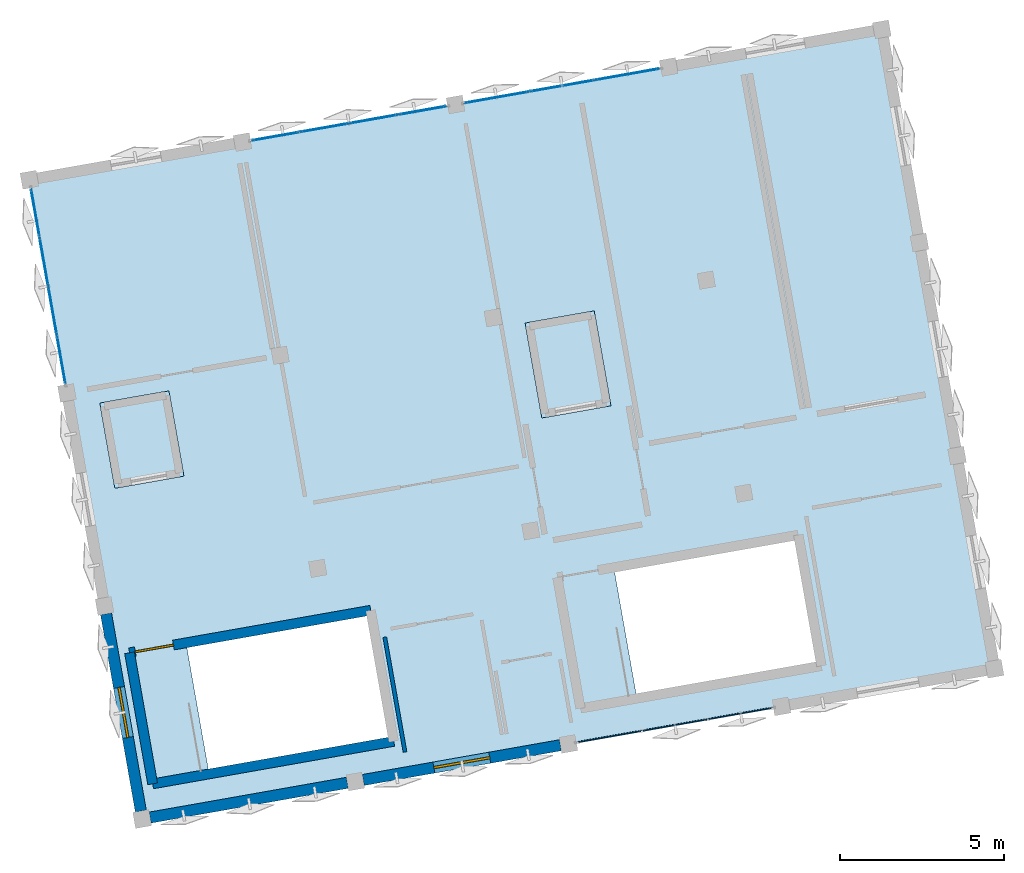
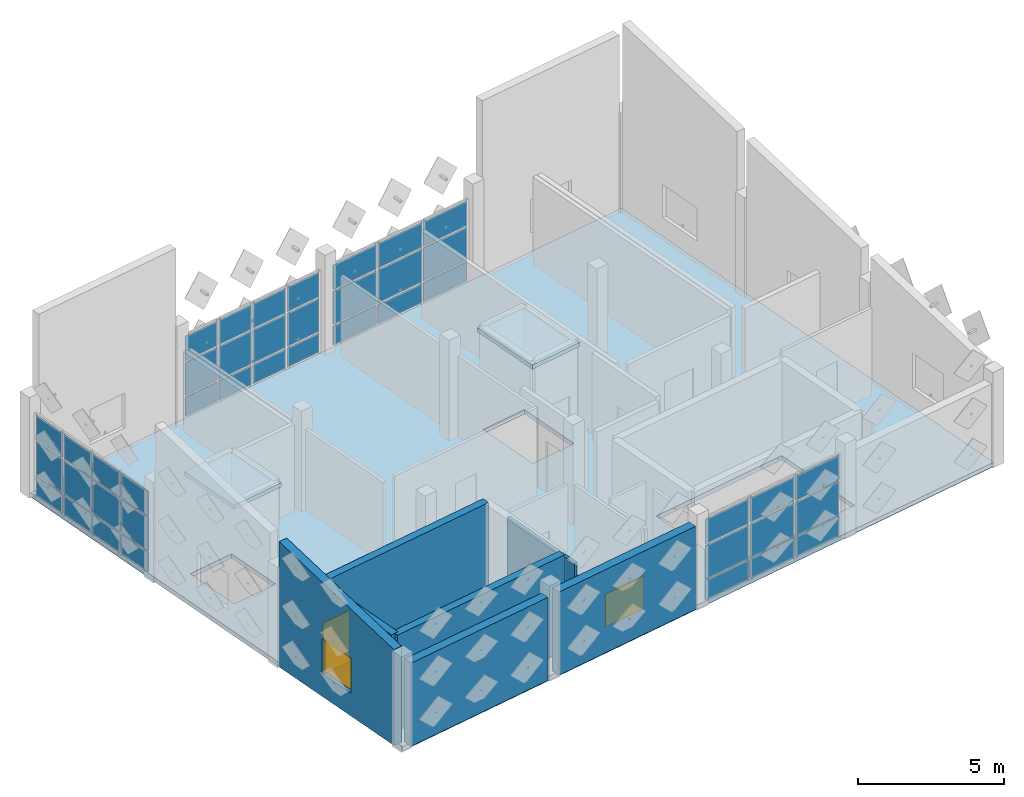
# One storey, part 6 of 11: 42 plates, 7 walls, 3 slabs, 2 windows, 1 door, 3 openings, 4 elements without a shape of their own.
"""IFC4 building model written with IfcOpenShell, lengths in metres."""

from ifc_helpers import new_model, si_unit, direction, frame, frame_2d, origin, origin_2d, place, context, subcontext, project, spatial, polyline, rectangle, outline, extrude, material, layer, layer_set, type_object, element, fill, aggregate, save


model = new_model("IFC4")

# Units and contexts
model_context = context("Model", 3, precision=1e-05, world=origin(), true_north=direction((0.0, 1.0)))
body_context = subcontext(model_context, "Body", "Model", "MODEL_VIEW")
ifc_project = project(units=[si_unit("LENGTHUNIT", "METRE"), si_unit("AREAUNIT", "SQUARE_METRE"), si_unit("VOLUMEUNIT", "CUBIC_METRE"), si_unit("PLANEANGLEUNIT", "RADIAN"), si_unit("MASSUNIT", "GRAM", prefix="KILO")], contexts=[model_context])

# Site, building, storey
site_placement = place(None, origin())
site = spatial("IfcSite", under=ifc_project, at=site_placement, CompositionType="ELEMENT")
building_placement = place(site_placement, origin())
building = spatial("IfcBuilding", under=site, at=building_placement, Name="Kharisveld Research Institute", CompositionType="ELEMENT")
storey_placement = place(building_placement, frame((0.0, 0.0, 49.199951171875)))
storey = spatial("IfcBuildingStorey", under=building, at=storey_placement, Name="L11", CompositionType="ELEMENT", Elevation=49.199951171875)

# Curtain wall, plates
ifc_material_1 = material(Name="Thermally Broken Aluminium Curtain Wall", Category="aluminium")
ifc_layer_1 = layer(ifc_material_1, 0.159912109375)
ifc_layer_set_1 = layer_set([ifc_layer_1], Name="CW_SYS_03")
curtain_wall_type_1 = type_object("IfcCurtainWallType", Name="CW_SYS_03", PredefinedType="NOTDEFINED", material=ifc_layer_set_1)
curtain_wall_1_placement = place(storey_placement, origin())
curtain_wall_1 = element("IfcCurtainWall", 1, at=curtain_wall_1_placement, inside=storey, type_object=curtain_wall_type_1, Name="CW:V1:L11:W2", PredefinedType="NOTDEFINED")
ifc_material_2 = material(Name="Low-E Double Glazing", Category="glass")
ifc_layer_2 = layer(ifc_material_2, 0.028076171875)
ifc_layer_set_2 = layer_set([ifc_layer_2], Name="CW_PNL_GLZ")
plate_type_1 = type_object("IfcPlateType", Name="CW_PNL_GLZ", PredefinedType="CURTAIN_PANEL", material=ifc_layer_set_2)
plate_1_placement = place(storey_placement, frame((2.729736328125, 49.02001953125, 0.06494140625), z_axis=(0.0, 0.0, 1.0), x_axis=(-0.173648102039, 0.984807766347, 0.0)))
plate_1 = element("IfcPlate", 2, at=plate_1_placement, type_object=plate_type_1, Name="CW-03 panel 1.1", PredefinedType="CURTAIN_PANEL", context=body_context, shape_type="SweptSolid", body=[
    extrude(rectangle(XDim=1.422607421875, YDim=0.028076171875, at=origin_2d()), origin(), (0.0, 0.0, 1.0), 0.802490234375),
])
plate_2_placement = place(storey_placement, frame((2.729736328125, 49.02001953125, 0.9326171875), z_axis=(0.0, 0.0, 1.0), x_axis=(-0.173648102039, 0.984807766347, 0.0)))
plate_2 = element("IfcPlate", 3, at=plate_2_placement, type_object=plate_type_1, Name="CW-03 panel 1.2", PredefinedType="CURTAIN_PANEL", context=body_context, shape_type="SweptSolid", body=[
    extrude(rectangle(XDim=1.422607421875, YDim=0.028076171875, at=origin_2d()), origin(), (0.0, 0.0, 1.0), 1.385009765625),
])
plate_3_placement = place(storey_placement, frame((2.729736328125, 49.02001953125, 2.38232421875), z_axis=(0.0, 0.0, 1.0), x_axis=(-0.173648102039, 0.984807766347, 0.0)))
plate_3 = element("IfcPlate", 4, at=plate_3_placement, type_object=plate_type_1, Name="CW-03 panel 1.3", PredefinedType="CURTAIN_PANEL", context=body_context, shape_type="SweptSolid", body=[
    extrude(rectangle(XDim=1.422607421875, YDim=0.028076171875, at=origin_2d()), origin(), (0.0, 0.0, 1.0), 1.032470703125),
])
plate_4_placement = place(storey_placement, frame((2.467529296875, 50.507080078125, 0.06494140625), z_axis=(0.0, 0.0, 1.0), x_axis=(-0.173648102039, 0.984807766347, 0.0)))
plate_4 = element("IfcPlate", 5, at=plate_4_placement, type_object=plate_type_1, Name="CW-03 panel 2.1", PredefinedType="CURTAIN_PANEL", context=body_context, shape_type="SweptSolid", body=[
    extrude(rectangle(XDim=1.45751953125, YDim=0.028076171875, at=origin_2d()), origin(), (0.0, 0.0, 1.0), 0.802490234375),
])
plate_5_placement = place(storey_placement, frame((2.467529296875, 50.507080078125, 0.9326171875), z_axis=(0.0, 0.0, 1.0), x_axis=(-0.173648102039, 0.984807766347, 0.0)))
plate_5 = element("IfcPlate", 6, at=plate_5_placement, type_object=plate_type_1, Name="CW-03 panel 2.2", PredefinedType="CURTAIN_PANEL", context=body_context, shape_type="SweptSolid", body=[
    extrude(rectangle(XDim=1.45751953125, YDim=0.028076171875, at=origin_2d()), origin(), (0.0, 0.0, 1.0), 1.385009765625),
])
plate_6_placement = place(storey_placement, frame((2.467529296875, 50.507080078125, 2.38232421875), z_axis=(0.0, 0.0, 1.0), x_axis=(-0.173648102039, 0.984807766347, 0.0)))
plate_6 = element("IfcPlate", 7, at=plate_6_placement, type_object=plate_type_1, Name="CW-03 panel 2.3", PredefinedType="CURTAIN_PANEL", context=body_context, shape_type="SweptSolid", body=[
    extrude(rectangle(XDim=1.45751953125, YDim=0.028076171875, at=origin_2d()), origin(), (0.0, 0.0, 1.0), 1.032470703125),
])
plate_7_placement = place(storey_placement, frame((2.2021484375, 52.011474609375, 0.06494140625), z_axis=(0.0, 0.0, 1.0), x_axis=(-0.173648102039, 0.984807766347, 0.0)))
plate_7 = element("IfcPlate", 8, at=plate_7_placement, type_object=plate_type_1, Name="CW-03 panel 3.1", PredefinedType="CURTAIN_PANEL", context=body_context, shape_type="SweptSolid", body=[
    extrude(rectangle(XDim=1.45751953125, YDim=0.028076171875, at=origin_2d()), origin(), (0.0, 0.0, 1.0), 0.802490234375),
])
plate_8_placement = place(storey_placement, frame((2.2021484375, 52.011474609375, 0.9326171875), z_axis=(0.0, 0.0, 1.0), x_axis=(-0.173648102039, 0.984807766347, 0.0)))
plate_8 = element("IfcPlate", 9, at=plate_8_placement, type_object=plate_type_1, Name="CW-03 panel 3.2", PredefinedType="CURTAIN_PANEL", context=body_context, shape_type="SweptSolid", body=[
    extrude(rectangle(XDim=1.45751953125, YDim=0.028076171875, at=origin_2d()), origin(), (0.0, 0.0, 1.0), 1.385009765625),
])
plate_9_placement = place(storey_placement, frame((2.2021484375, 52.011474609375, 2.38232421875), z_axis=(0.0, 0.0, 1.0), x_axis=(-0.173648102039, 0.984807766347, 0.0)))
plate_9 = element("IfcPlate", 10, at=plate_9_placement, type_object=plate_type_1, Name="CW-03 panel 3.3", PredefinedType="CURTAIN_PANEL", context=body_context, shape_type="SweptSolid", body=[
    extrude(rectangle(XDim=1.45751953125, YDim=0.028076171875, at=origin_2d()), origin(), (0.0, 0.0, 1.0), 1.032470703125),
])
plate_10_placement = place(storey_placement, frame((1.93994140625, 53.49853515625, 0.06494140625), z_axis=(0.0, 0.0, 1.0), x_axis=(-0.173648102039, 0.984807766347, 0.0)))
plate_10 = element("IfcPlate", 11, at=plate_10_placement, type_object=plate_type_1, Name="CW-03 panel 4.1", PredefinedType="CURTAIN_PANEL", context=body_context, shape_type="SweptSolid", body=[
    extrude(rectangle(XDim=1.422607421875, YDim=0.028076171875, at=origin_2d()), origin(), (0.0, 0.0, 1.0), 0.802490234375),
])
plate_11_placement = place(storey_placement, frame((1.93994140625, 53.49853515625, 0.9326171875), z_axis=(0.0, 0.0, 1.0), x_axis=(-0.173648102039, 0.984807766347, 0.0)))
plate_11 = element("IfcPlate", 12, at=plate_11_placement, type_object=plate_type_1, Name="CW-03 panel 4.2", PredefinedType="CURTAIN_PANEL", context=body_context, shape_type="SweptSolid", body=[
    extrude(rectangle(XDim=1.422607421875, YDim=0.028076171875, at=origin_2d()), origin(), (0.0, 0.0, 1.0), 1.385009765625),
])
plate_12_placement = place(storey_placement, frame((1.93994140625, 53.49853515625, 2.38232421875), z_axis=(0.0, 0.0, 1.0), x_axis=(-0.173648102039, 0.984807766347, 0.0)))
plate_12 = element("IfcPlate", 13, at=plate_12_placement, type_object=plate_type_1, Name="CW-03 panel 4.3", PredefinedType="CURTAIN_PANEL", context=body_context, shape_type="SweptSolid", body=[
    extrude(rectangle(XDim=1.422607421875, YDim=0.028076171875, at=origin_2d()), origin(), (0.0, 0.0, 1.0), 1.032470703125),
])
aggregate(curtain_wall_1, [plate_1, plate_2, plate_3, plate_4, plate_5, plate_6, plate_7, plate_8, plate_9, plate_10, plate_11, plate_12])

ifc_material_3 = material(Name="Thermally Broken Aluminium Curtain Wall", Category="aluminium")
ifc_layer_3 = layer(ifc_material_3, 0.159912109375)
ifc_layer_set_3 = layer_set([ifc_layer_3], Name="CW_SYS_04")
curtain_wall_type_2 = type_object("IfcCurtainWallType", Name="CW_SYS_04", PredefinedType="NOTDEFINED", material=ifc_layer_set_3)
curtain_wall_2_placement = place(storey_placement, origin())
curtain_wall_2 = element("IfcCurtainWall", 14, at=curtain_wall_2_placement, inside=storey, type_object=curtain_wall_type_2, Name="CW:V1:L11:N1", PredefinedType="NOTDEFINED")
plate_13_placement = place(storey_placement, frame((9.272216796875, 55.83349609375, 0.06494140625), z_axis=(0.0, 0.0, 1.0), x_axis=(0.984807761413, 0.173648130021, 0.0)))
plate_13 = element("IfcPlate", 15, at=plate_13_placement, type_object=plate_type_1, Name="CW-04 panel 1.1", PredefinedType="CURTAIN_PANEL", context=body_context, shape_type="SweptSolid", body=[
    extrude(rectangle(XDim=1.422607421875, YDim=0.028076171875, at=origin_2d()), origin(), (0.0, 0.0, 1.0), 0.802490234375),
])
plate_14_placement = place(storey_placement, frame((9.272216796875, 55.83349609375, 0.9326171875), z_axis=(0.0, 0.0, 1.0), x_axis=(0.984807761413, 0.173648130021, 0.0)))
plate_14 = element("IfcPlate", 16, at=plate_14_placement, type_object=plate_type_1, Name="CW-04 panel 1.2", PredefinedType="CURTAIN_PANEL", context=body_context, shape_type="SweptSolid", body=[
    extrude(rectangle(XDim=1.422607421875, YDim=0.028076171875, at=origin_2d()), origin(), (0.0, 0.0, 1.0), 1.385009765625),
])
plate_15_placement = place(storey_placement, frame((9.272216796875, 55.83349609375, 2.38232421875), z_axis=(0.0, 0.0, 1.0), x_axis=(0.984807761413, 0.173648130021, 0.0)))
plate_15 = element("IfcPlate", 17, at=plate_15_placement, type_object=plate_type_1, Name="CW-04 panel 1.3", PredefinedType="CURTAIN_PANEL", context=body_context, shape_type="SweptSolid", body=[
    extrude(rectangle(XDim=1.422607421875, YDim=0.028076171875, at=origin_2d()), origin(), (0.0, 0.0, 1.0), 1.032470703125),
])
plate_16_placement = place(storey_placement, frame((10.75927734375, 56.095703125, 0.06494140625), z_axis=(0.0, 0.0, 1.0), x_axis=(0.984807761413, 0.173648130021, 0.0)))
plate_16 = element("IfcPlate", 18, at=plate_16_placement, type_object=plate_type_1, Name="CW-04 panel 2.1", PredefinedType="CURTAIN_PANEL", context=body_context, shape_type="SweptSolid", body=[
    extrude(rectangle(XDim=1.45751953125, YDim=0.028076171875, at=origin_2d()), origin(), (0.0, 0.0, 1.0), 0.802490234375),
])
plate_17_placement = place(storey_placement, frame((10.75927734375, 56.095703125, 0.9326171875), z_axis=(0.0, 0.0, 1.0), x_axis=(0.984807761413, 0.173648130021, 0.0)))
plate_17 = element("IfcPlate", 19, at=plate_17_placement, type_object=plate_type_1, Name="CW-04 panel 2.2", PredefinedType="CURTAIN_PANEL", context=body_context, shape_type="SweptSolid", body=[
    extrude(rectangle(XDim=1.45751953125, YDim=0.028076171875, at=origin_2d()), origin(), (0.0, 0.0, 1.0), 1.385009765625),
])
plate_18_placement = place(storey_placement, frame((10.75927734375, 56.095703125, 2.38232421875), z_axis=(0.0, 0.0, 1.0), x_axis=(0.984807761413, 0.173648130021, 0.0)))
plate_18 = element("IfcPlate", 20, at=plate_18_placement, type_object=plate_type_1, Name="CW-04 panel 2.3", PredefinedType="CURTAIN_PANEL", context=body_context, shape_type="SweptSolid", body=[
    extrude(rectangle(XDim=1.45751953125, YDim=0.028076171875, at=origin_2d()), origin(), (0.0, 0.0, 1.0), 1.032470703125),
])
plate_19_placement = place(storey_placement, frame((12.263427734375, 56.36083984375, 0.06494140625), z_axis=(0.0, 0.0, 1.0), x_axis=(0.984807761413, 0.173648130021, 0.0)))
plate_19 = element("IfcPlate", 21, at=plate_19_placement, type_object=plate_type_1, Name="CW-04 panel 3.1", PredefinedType="CURTAIN_PANEL", context=body_context, shape_type="SweptSolid", body=[
    extrude(rectangle(XDim=1.45751953125, YDim=0.028076171875, at=origin_2d()), origin(), (0.0, 0.0, 1.0), 0.802490234375),
])
plate_20_placement = place(storey_placement, frame((12.263427734375, 56.36083984375, 0.9326171875), z_axis=(0.0, 0.0, 1.0), x_axis=(0.984807761413, 0.173648130021, 0.0)))
plate_20 = element("IfcPlate", 22, at=plate_20_placement, type_object=plate_type_1, Name="CW-04 panel 3.2", PredefinedType="CURTAIN_PANEL", context=body_context, shape_type="SweptSolid", body=[
    extrude(rectangle(XDim=1.45751953125, YDim=0.028076171875, at=origin_2d()), origin(), (0.0, 0.0, 1.0), 1.385009765625),
])
plate_21_placement = place(storey_placement, frame((12.263427734375, 56.36083984375, 2.38232421875), z_axis=(0.0, 0.0, 1.0), x_axis=(0.984807761413, 0.173648130021, 0.0)))
plate_21 = element("IfcPlate", 23, at=plate_21_placement, type_object=plate_type_1, Name="CW-04 panel 3.3", PredefinedType="CURTAIN_PANEL", context=body_context, shape_type="SweptSolid", body=[
    extrude(rectangle(XDim=1.45751953125, YDim=0.028076171875, at=origin_2d()), origin(), (0.0, 0.0, 1.0), 1.032470703125),
])
plate_22_placement = place(storey_placement, frame((13.75048828125, 56.623046875, 0.06494140625), z_axis=(0.0, 0.0, 1.0), x_axis=(0.984807761413, 0.173648130021, 0.0)))
plate_22 = element("IfcPlate", 24, at=plate_22_placement, type_object=plate_type_1, Name="CW-04 panel 4.1", PredefinedType="CURTAIN_PANEL", context=body_context, shape_type="SweptSolid", body=[
    extrude(rectangle(XDim=1.422607421875, YDim=0.028076171875, at=origin_2d()), origin(), (0.0, 0.0, 1.0), 0.802490234375),
])
plate_23_placement = place(storey_placement, frame((13.75048828125, 56.623046875, 0.9326171875), z_axis=(0.0, 0.0, 1.0), x_axis=(0.984807761413, 0.173648130021, 0.0)))
plate_23 = element("IfcPlate", 25, at=plate_23_placement, type_object=plate_type_1, Name="CW-04 panel 4.2", PredefinedType="CURTAIN_PANEL", context=body_context, shape_type="SweptSolid", body=[
    extrude(rectangle(XDim=1.422607421875, YDim=0.028076171875, at=origin_2d()), origin(), (0.0, 0.0, 1.0), 1.385009765625),
])
plate_24_placement = place(storey_placement, frame((13.75048828125, 56.623046875, 2.38232421875), z_axis=(0.0, 0.0, 1.0), x_axis=(0.984807761413, 0.173648130021, 0.0)))
plate_24 = element("IfcPlate", 26, at=plate_24_placement, type_object=plate_type_1, Name="CW-04 panel 4.3", PredefinedType="CURTAIN_PANEL", context=body_context, shape_type="SweptSolid", body=[
    extrude(rectangle(XDim=1.422607421875, YDim=0.028076171875, at=origin_2d()), origin(), (0.0, 0.0, 1.0), 1.032470703125),
])
aggregate(curtain_wall_2, [plate_13, plate_14, plate_15, plate_16, plate_17, plate_18, plate_19, plate_20, plate_21, plate_22, plate_23, plate_24])

ifc_material_4 = material(Name="Thermally Broken Aluminium Curtain Wall", Category="aluminium")
ifc_layer_4 = layer(ifc_material_4, 0.159912109375)
ifc_layer_set_4 = layer_set([ifc_layer_4], Name="CW_SYS_05")
curtain_wall_type_3 = type_object("IfcCurtainWallType", Name="CW_SYS_05", PredefinedType="NOTDEFINED", material=ifc_layer_set_4)
curtain_wall_3_placement = place(storey_placement, origin())
curtain_wall_3 = element("IfcCurtainWall", 27, at=curtain_wall_3_placement, inside=storey, type_object=curtain_wall_type_3, Name="CW:V1:L11:N2", PredefinedType="NOTDEFINED")
plate_25_placement = place(storey_placement, frame((16.022705078125, 57.023681640625, 0.06494140625), z_axis=(0.0, 0.0, 1.0), x_axis=(0.984807766347, 0.173648102039, 0.0)))
plate_25 = element("IfcPlate", 28, at=plate_25_placement, type_object=plate_type_1, Name="CW-05 panel 1.1", PredefinedType="CURTAIN_PANEL", context=body_context, shape_type="SweptSolid", body=[
    extrude(rectangle(XDim=1.931640625, YDim=0.028076171875, at=origin_2d()), origin(), (0.0, 0.0, 1.0), 0.802490234375),
])
plate_26_placement = place(storey_placement, frame((16.022705078125, 57.023681640625, 0.9326171875), z_axis=(0.0, 0.0, 1.0), x_axis=(0.984807766347, 0.173648102039, 0.0)))
plate_26 = element("IfcPlate", 29, at=plate_26_placement, type_object=plate_type_1, Name="CW-05 panel 1.2", PredefinedType="CURTAIN_PANEL", context=body_context, shape_type="SweptSolid", body=[
    extrude(rectangle(XDim=1.931640625, YDim=0.028076171875, at=origin_2d()), origin(), (0.0, 0.0, 1.0), 1.385009765625),
])
plate_27_placement = place(storey_placement, frame((16.022705078125, 57.023681640625, 2.38232421875), z_axis=(0.0, 0.0, 1.0), x_axis=(0.984807766347, 0.173648102039, 0.0)))
plate_27 = element("IfcPlate", 30, at=plate_27_placement, type_object=plate_type_1, Name="CW-05 panel 1.3", PredefinedType="CURTAIN_PANEL", context=body_context, shape_type="SweptSolid", body=[
    extrude(rectangle(XDim=1.931640625, YDim=0.028076171875, at=origin_2d()), origin(), (0.0, 0.0, 1.0), 1.032470703125),
])
plate_28_placement = place(storey_placement, frame((18.010986328125, 57.374267578125, 0.06494140625), z_axis=(0.0, 0.0, 1.0), x_axis=(0.984807766347, 0.173648102039, 0.0)))
plate_28 = element("IfcPlate", 31, at=plate_28_placement, type_object=plate_type_1, Name="CW-05 panel 2.1", PredefinedType="CURTAIN_PANEL", context=body_context, shape_type="SweptSolid", body=[
    extrude(rectangle(XDim=1.966552734375, YDim=0.028076171875, at=origin_2d()), origin(), (0.0, 0.0, 1.0), 0.802490234375),
])
plate_29_placement = place(storey_placement, frame((18.010986328125, 57.374267578125, 0.9326171875), z_axis=(0.0, 0.0, 1.0), x_axis=(0.984807766347, 0.173648102039, 0.0)))
plate_29 = element("IfcPlate", 32, at=plate_29_placement, type_object=plate_type_1, Name="CW-05 panel 2.2", PredefinedType="CURTAIN_PANEL", context=body_context, shape_type="SweptSolid", body=[
    extrude(rectangle(XDim=1.966552734375, YDim=0.028076171875, at=origin_2d()), origin(), (0.0, 0.0, 1.0), 1.385009765625),
])
plate_30_placement = place(storey_placement, frame((18.010986328125, 57.374267578125, 2.38232421875), z_axis=(0.0, 0.0, 1.0), x_axis=(0.984807766347, 0.173648102039, 0.0)))
plate_30 = element("IfcPlate", 33, at=plate_30_placement, type_object=plate_type_1, Name="CW-05 panel 2.3", PredefinedType="CURTAIN_PANEL", context=body_context, shape_type="SweptSolid", body=[
    extrude(rectangle(XDim=1.966552734375, YDim=0.028076171875, at=origin_2d()), origin(), (0.0, 0.0, 1.0), 1.032470703125),
])
plate_31_placement = place(storey_placement, frame((19.99951171875, 57.72509765625, 0.06494140625), z_axis=(0.0, 0.0, 1.0), x_axis=(0.984807766347, 0.173648102039, 0.0)))
plate_31 = element("IfcPlate", 34, at=plate_31_placement, type_object=plate_type_1, Name="CW-05 panel 3.1", PredefinedType="CURTAIN_PANEL", context=body_context, shape_type="SweptSolid", body=[
    extrude(rectangle(XDim=1.931640625, YDim=0.028076171875, at=origin_2d()), origin(), (0.0, 0.0, 1.0), 0.802490234375),
])
plate_32_placement = place(storey_placement, frame((19.99951171875, 57.72509765625, 0.9326171875), z_axis=(0.0, 0.0, 1.0), x_axis=(0.984807766347, 0.173648102039, 0.0)))
plate_32 = element("IfcPlate", 35, at=plate_32_placement, type_object=plate_type_1, Name="CW-05 panel 3.2", PredefinedType="CURTAIN_PANEL", context=body_context, shape_type="SweptSolid", body=[
    extrude(rectangle(XDim=1.931640625, YDim=0.028076171875, at=origin_2d()), origin(), (0.0, 0.0, 1.0), 1.385009765625),
])
plate_33_placement = place(storey_placement, frame((19.99951171875, 57.72509765625, 2.38232421875), z_axis=(0.0, 0.0, 1.0), x_axis=(0.984807766347, 0.173648102039, 0.0)))
plate_33 = element("IfcPlate", 36, at=plate_33_placement, type_object=plate_type_1, Name="CW-05 panel 3.3", PredefinedType="CURTAIN_PANEL", context=body_context, shape_type="SweptSolid", body=[
    extrude(rectangle(XDim=1.931640625, YDim=0.028076171875, at=origin_2d()), origin(), (0.0, 0.0, 1.0), 1.032470703125),
])
aggregate(curtain_wall_3, [plate_25, plate_26, plate_27, plate_28, plate_29, plate_30, plate_31, plate_32, plate_33])

ifc_material_5 = material(Name="Thermally Broken Aluminium Curtain Wall", Category="aluminium")
ifc_layer_5 = layer(ifc_material_5, 0.159912109375)
ifc_layer_set_5 = layer_set([ifc_layer_5], Name="CW_SYS_06")
curtain_wall_type_4 = type_object("IfcCurtainWallType", Name="CW_SYS_06", PredefinedType="NOTDEFINED", material=ifc_layer_set_5)
curtain_wall_4_placement = place(storey_placement, origin())
curtain_wall_4 = element("IfcCurtainWall", 37, at=curtain_wall_4_placement, inside=storey, type_object=curtain_wall_type_4, Name="CW:V1:L11:S3", PredefinedType="NOTDEFINED")
ifc_material_6 = material(Name="Insulated Spandrel Glazing", Category="glass")
ifc_layer_6 = layer(ifc_material_6, 0.035888671875)
ifc_layer_set_6 = layer_set([ifc_layer_6], Name="CW_PNL_SPD")
plate_type_2 = type_object("IfcPlateType", Name="CW_PNL_SPD", PredefinedType="CURTAIN_PANEL", material=ifc_layer_set_6)
plate_34_placement = place(storey_placement, frame((23.437744140625, 38.225830078125, 0.06494140625), z_axis=(0.0, 0.0, 1.0), x_axis=(-0.984807766347, -0.173648102039, 0.0)))
plate_34 = element("IfcPlate", 38, at=plate_34_placement, type_object=plate_type_2, Name="CW-06 panel 1.1", PredefinedType="CURTAIN_PANEL", context=body_context, shape_type="SweptSolid", body=[
    extrude(rectangle(XDim=1.931640625, YDim=0.035888671875, at=origin_2d()), origin(), (0.0, 0.0, 1.0), 0.802490234375),
])
plate_35_placement = place(storey_placement, frame((23.437744140625, 38.225830078125, 0.9326171875), z_axis=(0.0, 0.0, 1.0), x_axis=(-0.984807766347, -0.173648102039, 0.0)))
plate_35 = element("IfcPlate", 39, at=plate_35_placement, type_object=plate_type_2, Name="CW-06 panel 1.2", PredefinedType="CURTAIN_PANEL", context=body_context, shape_type="SweptSolid", body=[
    extrude(rectangle(XDim=1.931640625, YDim=0.035888671875, at=origin_2d()), origin(), (0.0, 0.0, 1.0), 1.385009765625),
])
plate_36_placement = place(storey_placement, frame((23.437744140625, 38.225830078125, 2.38232421875), z_axis=(0.0, 0.0, 1.0), x_axis=(-0.984807766347, -0.173648102039, 0.0)))
plate_36 = element("IfcPlate", 40, at=plate_36_placement, type_object=plate_type_2, Name="CW-06 panel 1.3", PredefinedType="CURTAIN_PANEL", context=body_context, shape_type="SweptSolid", body=[
    extrude(rectangle(XDim=1.931640625, YDim=0.035888671875, at=origin_2d()), origin(), (0.0, 0.0, 1.0), 1.032470703125),
])
plate_37_placement = place(storey_placement, frame((21.44921875, 37.875244140625, 0.06494140625), z_axis=(0.0, 0.0, 1.0), x_axis=(-0.984807766347, -0.173648102039, 0.0)))
plate_37 = element("IfcPlate", 41, at=plate_37_placement, type_object=plate_type_2, Name="CW-06 panel 2.1", PredefinedType="CURTAIN_PANEL", context=body_context, shape_type="SweptSolid", body=[
    extrude(rectangle(XDim=1.966552734375, YDim=0.035888671875, at=origin_2d()), origin(), (0.0, 0.0, 1.0), 0.802490234375),
])
plate_38_placement = place(storey_placement, frame((21.44921875, 37.875244140625, 0.9326171875), z_axis=(0.0, 0.0, 1.0), x_axis=(-0.984807766347, -0.173648102039, 0.0)))
plate_38 = element("IfcPlate", 42, at=plate_38_placement, type_object=plate_type_2, Name="CW-06 panel 2.2", PredefinedType="CURTAIN_PANEL", context=body_context, shape_type="SweptSolid", body=[
    extrude(rectangle(XDim=1.966552734375, YDim=0.035888671875, at=origin_2d()), origin(), (0.0, 0.0, 1.0), 1.385009765625),
])
plate_39_placement = place(storey_placement, frame((21.44921875, 37.875244140625, 2.38232421875), z_axis=(0.0, 0.0, 1.0), x_axis=(-0.984807766347, -0.173648102039, 0.0)))
plate_39 = element("IfcPlate", 43, at=plate_39_placement, type_object=plate_type_2, Name="CW-06 panel 2.3", PredefinedType="CURTAIN_PANEL", context=body_context, shape_type="SweptSolid", body=[
    extrude(rectangle(XDim=1.966552734375, YDim=0.035888671875, at=origin_2d()), origin(), (0.0, 0.0, 1.0), 1.032470703125),
])
plate_40_placement = place(storey_placement, frame((19.4609375, 37.524658203125, 0.06494140625), z_axis=(0.0, 0.0, 1.0), x_axis=(-0.984807766347, -0.173648102039, 0.0)))
plate_40 = element("IfcPlate", 44, at=plate_40_placement, type_object=plate_type_2, Name="CW-06 panel 3.1", PredefinedType="CURTAIN_PANEL", context=body_context, shape_type="SweptSolid", body=[
    extrude(rectangle(XDim=1.931640625, YDim=0.035888671875, at=origin_2d()), origin(), (0.0, 0.0, 1.0), 0.802490234375),
])
plate_41_placement = place(storey_placement, frame((19.4609375, 37.524658203125, 0.9326171875), z_axis=(0.0, 0.0, 1.0), x_axis=(-0.984807766347, -0.173648102039, 0.0)))
plate_41 = element("IfcPlate", 45, at=plate_41_placement, type_object=plate_type_2, Name="CW-06 panel 3.2", PredefinedType="CURTAIN_PANEL", context=body_context, shape_type="SweptSolid", body=[
    extrude(rectangle(XDim=1.931640625, YDim=0.035888671875, at=origin_2d()), origin(), (0.0, 0.0, 1.0), 1.385009765625),
])
plate_42_placement = place(storey_placement, frame((19.4609375, 37.524658203125, 2.38232421875), z_axis=(0.0, 0.0, 1.0), x_axis=(-0.984807766347, -0.173648102039, 0.0)))
plate_42 = element("IfcPlate", 46, at=plate_42_placement, type_object=plate_type_2, Name="CW-06 panel 3.3", PredefinedType="CURTAIN_PANEL", context=body_context, shape_type="SweptSolid", body=[
    extrude(rectangle(XDim=1.931640625, YDim=0.035888671875, at=origin_2d()), origin(), (0.0, 0.0, 1.0), 1.032470703125),
])
aggregate(curtain_wall_4, [plate_34, plate_35, plate_36, plate_37, plate_38, plate_39, plate_40, plate_41, plate_42])

# Slabs
ifc_material_7 = material(Name="Concrete C40/50", Category="concrete")
ifc_layer_7 = layer(ifc_material_7, 0.179931640625)
ifc_layer_set_7 = layer_set([ifc_layer_7], Name="SL_FLR_180")
slab_type = type_object("IfcSlabType", Name="SL_FLR_180", PredefinedType="FLOOR", material=ifc_layer_set_7)
slab_1_placement = place(storey_placement, frame((0.0, 0.0, -0.179931640625)))
element("IfcSlab", 47, at=slab_1_placement, inside=storey, type_object=slab_type, Name="SLAB:V1:L11:MAIN", PredefinedType="FLOOR", context=body_context, shape_type="SweptSolid", body=[
    extrude(outline(polyline([(5.199951171875, 35.010009765625), (31.198974609375, 39.59423828125), (27.7607421875, 59.093505859375), (1.76171875, 54.50927734375), (5.199951171875, 35.010009765625)]), holes=[polyline([(12.73974609375, 37.45654296875), (7.224853515625, 36.48388671875), (6.554443359375, 40.285400390625), (12.0693359375, 41.2578125), (12.73974609375, 37.45654296875)]), polyline([(25.788330078125, 39.75732421875), (20.2734375, 38.784912109375), (19.603271484375, 42.586181640625), (25.1181640625, 43.55859375), (25.788330078125, 39.75732421875)]), polyline([(6.29931640625, 45.591552734375), (4.487060546875, 45.272216796875), (4.080810546875, 47.57666015625), (5.892822265625, 47.89599609375), (6.29931640625, 45.591552734375)]), polyline([(19.32470703125, 47.736083984375), (17.5126953125, 47.41650390625), (17.05419921875, 50.016357421875), (18.8662109375, 50.3359375), (19.32470703125, 47.736083984375)])]), origin(), (0.0, 0.0, 1.0), 0.179931640625),
])
slab_2_placement = place(storey_placement, frame((0.0, 0.0, 4.070068359375)))
element("IfcSlab", 48, at=slab_2_placement, inside=storey, type_object=slab_type, Name="SLAB:LFT:FFL-01:L11:CAP", PredefinedType="FLOOR", context=body_context, shape_type="SweptSolid", body=[
    extrude(outline(polyline([(17.39111328125, 47.24267578125), (19.49853515625, 47.614501953125), (18.988037109375, 50.509765625), (16.88037109375, 50.13818359375), (17.39111328125, 47.24267578125)])), origin(), (0.0, 0.0, 1.0), 0.179931640625),
])
slab_3_placement = place(storey_placement, frame((0.0, 0.0, 4.070068359375)))
element("IfcSlab", 49, at=slab_3_placement, inside=storey, type_object=slab_type, Name="SLAB:LFT:PL-01:L11:CAP", PredefinedType="FLOOR", context=body_context, shape_type="SweptSolid", body=[
    extrude(outline(polyline([(4.365478515625, 45.098388671875), (6.472900390625, 45.469970703125), (6.0146484375, 48.06982421875), (3.906982421875, 47.6982421875), (4.365478515625, 45.098388671875)])), origin(), (0.0, 0.0, 1.0), 0.179931640625),
])

# Wall
ifc_material_8 = material(Name="Concrete C40/50", Category="concrete")
ifc_layer_8 = layer(ifc_material_8, 0.300048828125)
ifc_layer_set_8 = layer_set([ifc_layer_8], Name="WL_CORE_300")
wall_type_1 = type_object("IfcWallType", Name="WL_CORE_300", PredefinedType="SHEAR", material=ifc_layer_set_8)
wall_1_placement = place(storey_placement, frame((5.518798828125, 36.08154296875, 0.0), z_axis=(0.0, 0.0, 1.0), x_axis=(-0.173665267602, 0.984804739443, 0.0)))
element("IfcWall", 50, at=wall_1_placement, inside=storey, type_object=wall_type_1, Name="WL:STR:ST1:L11:W", PredefinedType="SHEAR", context=body_context, shape_type="SweptSolid", body=[
    extrude(rectangle(XDim=4.06005859375, YDim=0.300048828125, at=frame_2d((2.030029296875, 0.0))), origin(), (0.0, 0.0, 1.0), 3.97998046875),
])

# Wall, opening, door
wall_2_placement = place(storey_placement, frame((4.813720703125, 40.079833984375, 0.0), z_axis=(0.0, 0.0, 1.0), x_axis=(0.984802636214, 0.173677193974, 0.0)))
wall_2 = element("IfcWall", 51, at=wall_2_placement, inside=storey, type_object=wall_type_1, Name="WL:STR:ST1:L11:N", PredefinedType="SHEAR", context=body_context, shape_type="SweptSolid", body=[
    extrude(rectangle(XDim=7.469970703125, YDim=0.300048828125, at=frame_2d((3.73486328125, 0.0))), origin(), (0.0, 0.0, 1.0), 3.97998046875),
])
opening_1_placement = place(wall_2_placement, frame((0.179931640625, 0.0, 0.0)))
opening_1 = element("IfcOpeningElement", 52, at=opening_1_placement, cuts=wall_2, Name="Opening DS-013", PredefinedType="OPENING", context=body_context, shape_type="SweptSolid", body=[
    extrude(rectangle(XDim=1.179931640625, YDim=2.14990234375, at=frame_2d((0.58984375, 1.074951171875))), frame((0.0, 0.14990234375, 0.0), z_axis=(0.0, -1.0, 0.0), x_axis=(1.0, 0.0, 0.0)), (0.0, 0.0, 1.0), 0.300048828125),
])
ifc_material_9 = material(Name="Flush Painted Hardwood and Anodised Aluminium", Category="wood")
door_type = type_object("IfcDoorType", Name="DR_FD60_118", OperationType="NOTDEFINED", PredefinedType="DOOR", material=ifc_material_9)
door_placement = place(opening_1_placement, origin())
door = element("IfcDoor", 53, at=door_placement, inside=storey, type_object=door_type, Name="DR:STR:ST1:L11", OperationType="SINGLE_SWING_RIGHT", OverallHeight=2.14990234375, OverallWidth=1.179931640625, PredefinedType="DOOR", context=body_context, shape_type="SweptSolid", body=[
    extrude(rectangle(XDim=1.179931640625, YDim=2.14990234375, at=frame_2d((0.58984375, 1.074951171875))), frame((0.0, 0.02490234375, 0.0), z_axis=(0.0, -1.0, 0.0), x_axis=(1.0, 0.0, 0.0)), (0.0, 0.0, 1.0), 0.050048828125),
])
fill(opening_1, door)

# Wall
wall_3_placement = place(storey_placement, frame((12.875244140625, 37.378662109375, 0.0), z_axis=(0.0, 0.0, 1.0), x_axis=(-0.984808225754, -0.173645496596, 0.0)))
element("IfcWall", 54, at=wall_3_placement, inside=storey, type_object=wall_type_1, Name="WL:STR:ST1:L11:S", PredefinedType="SHEAR", context=body_context, shape_type="SweptSolid", body=[
    extrude(rectangle(XDim=7.469970703125, YDim=0.300048828125, at=frame_2d((3.73486328125, 0.0))), origin(), (0.0, 0.0, 1.0), 3.97998046875),
])

# Wall, opening, window
ifc_material_10 = material(Name="Concrete C35/45", Category="concrete")
ifc_layer_9 = layer(ifc_material_10, 0.340087890625)
ifc_layer_set_9 = layer_set([ifc_layer_9], Name="WL_EXT_340")
wall_type_2 = type_object("IfcWallType", Name="WL_EXT_340", PredefinedType="SOLIDWALL", material=ifc_layer_set_9)
wall_4_placement = place(storey_placement, frame((5.157470703125, 35.251220703125, 0.0), z_axis=(0.0, 0.0, 1.0), x_axis=(-0.173650847905, 0.984807282173, 0.0)))
wall_4 = element("IfcWall", 55, at=wall_4_placement, inside=storey, type_object=wall_type_2, Name="WL:V1:L11:W0", PredefinedType="SOLIDWALL", context=body_context, shape_type="SweptSolid", body=[
    extrude(outline(polyline([(0.0, 0.0), (6.110107421875, 0.0), (6.110107421875, 5.23388671875), (0.0, 3.99951171875), (0.0, 0.0)])), frame((0.0, 0.169921875, 0.0), z_axis=(0.0, -1.0, 0.0), x_axis=(1.0, 0.0, 0.0)), (0.0, 0.0, 1.0), 0.340087890625),
])
opening_2_placement = place(wall_4_placement, frame((2.280029296875, 0.0, 0.949951171875)))
opening_2 = element("IfcOpeningElement", 56, at=opening_2_placement, cuts=wall_4, Name="Opening WN-25", PredefinedType="OPENING", context=body_context, shape_type="SweptSolid", body=[
    extrude(rectangle(XDim=1.550048828125, YDim=1.4599609375, at=frame_2d((0.77490234375, 0.72998046875))), frame((0.0, 0.169921875, 0.0), z_axis=(0.0, -1.0, 0.0), x_axis=(1.0, 0.0, 0.0)), (0.0, 0.0, 1.0), 0.340087890625),
])
ifc_material_11 = material(Name="Low-E Double Glazing", Category="glass")
window_type_1 = type_object("IfcWindowType", Name="WN_25", PartitioningType="DOUBLE_PANEL_VERTICAL", PredefinedType="WINDOW", material=ifc_material_11)
window_1_placement = place(opening_2_placement, origin())
window_1 = element("IfcWindow", 57, at=window_1_placement, inside=storey, type_object=window_type_1, Name="WN:V1:L11:W0", OverallHeight=1.4599609375, OverallWidth=1.550048828125, PartitioningType="SINGLE_PANEL", PredefinedType="WINDOW", context=body_context, shape_type="SweptSolid", body=[
    extrude(rectangle(XDim=1.550048828125, YDim=1.4599609375, at=frame_2d((0.77490234375, 0.72998046875))), frame((0.0, 0.030029296875, 0.0), z_axis=(0.0, -1.0, 0.0), x_axis=(1.0, 0.0, 0.0)), (0.0, 0.0, 1.0), 0.06005859375),
])
fill(opening_2, window_1)

wall_5_placement = place(storey_placement, frame((17.958251953125, 37.259521484375, 0.0), z_axis=(0.0, 0.0, 1.0), x_axis=(-0.98481411452, -0.173612095898, 0.0)))
wall_5 = element("IfcWall", 58, at=wall_5_placement, inside=storey, type_object=wall_type_2, Name="WL:V1:L11:S2", PredefinedType="SOLIDWALL", context=body_context, shape_type="SweptSolid", body=[
    extrude(rectangle(XDim=6.110107421875, YDim=0.340087890625, at=frame_2d((3.05517578125, 0.0))), origin(), (0.0, 0.0, 1.0), 3.469970703125),
])
opening_3_placement = place(wall_5_placement, frame((2.18994140625, 0.0, 0.949951171875)))
opening_3 = element("IfcOpeningElement", 59, at=opening_3_placement, cuts=wall_5, Name="Opening WN-27", PredefinedType="OPENING", context=body_context, shape_type="SweptSolid", body=[
    extrude(rectangle(XDim=1.72998046875, YDim=1.360107421875, at=frame_2d((0.864990234375, 0.68017578125))), frame((0.0, 0.169921875, 0.0), z_axis=(0.0, -1.0, 0.0), x_axis=(1.0, 0.0, 0.0)), (0.0, 0.0, 1.0), 0.340087890625),
])
ifc_material_12 = material(Name="Low-E Double Glazing", Category="glass")
window_type_2 = type_object("IfcWindowType", Name="WN_27", PartitioningType="DOUBLE_PANEL_VERTICAL", PredefinedType="WINDOW", material=ifc_material_12)
window_2_placement = place(opening_3_placement, origin())
window_2 = element("IfcWindow", 60, at=window_2_placement, inside=storey, type_object=window_type_2, Name="WN:V1:L11:S2", OverallHeight=1.360107421875, OverallWidth=1.72998046875, PartitioningType="SINGLE_PANEL", PredefinedType="WINDOW", context=body_context, shape_type="SweptSolid", body=[
    extrude(rectangle(XDim=1.72998046875, YDim=1.360107421875, at=frame_2d((0.864990234375, 0.68017578125))), frame((0.0, 0.030029296875, 0.0), z_axis=(0.0, -1.0, 0.0), x_axis=(1.0, 0.0, 0.0)), (0.0, 0.0, 1.0), 0.06005859375),
])
fill(opening_3, window_2)

# Walls
wall_6_placement = place(storey_placement, frame((11.45849609375, 36.113525390625, 0.0), z_axis=(0.0, 0.0, 1.0), x_axis=(-0.984807282173, -0.173650847905, 0.0)))
element("IfcWall", 61, at=wall_6_placement, inside=storey, type_object=wall_type_2, Name="WL:V1:L11:S1", PredefinedType="SOLIDWALL", context=body_context, shape_type="SweptSolid", body=[
    extrude(rectangle(XDim=6.110107421875, YDim=0.340087890625, at=frame_2d((3.05517578125, 0.0))), origin(), (0.0, 0.0, 1.0), 3.469970703125),
])
ifc_material_13 = material(Name="Moisture-Resistant Partition", Category="mineral")
ifc_layer_10 = layer(ifc_material_13, 0.114990234375)
ifc_layer_set_10 = layer_set([ifc_layer_10], Name="WL_WC_115")
wall_type_3 = type_object("IfcWallType", Name="WL_WC_115", PredefinedType="PARTITIONING", material=ifc_layer_set_10)
wall_7_placement = place(storey_placement, frame((12.598876953125, 40.55908203125, 0.0), z_axis=(0.0, 0.0, 1.0), x_axis=(0.173644490041, -0.984808403233, 0.0)))
element("IfcWall", 62, at=wall_7_placement, inside=storey, type_object=wall_type_3, Name="WL:RM:V1:L11:WCM:W", PredefinedType="PARTITIONING", context=body_context, shape_type="SweptSolid", body=[
    extrude(rectangle(XDim=3.56005859375, YDim=0.114990234375, at=frame_2d((1.780029296875, 0.0))), origin(), (0.0, 0.0, 1.0), 3.650146484375),
])

save(model, "model.ifc")
